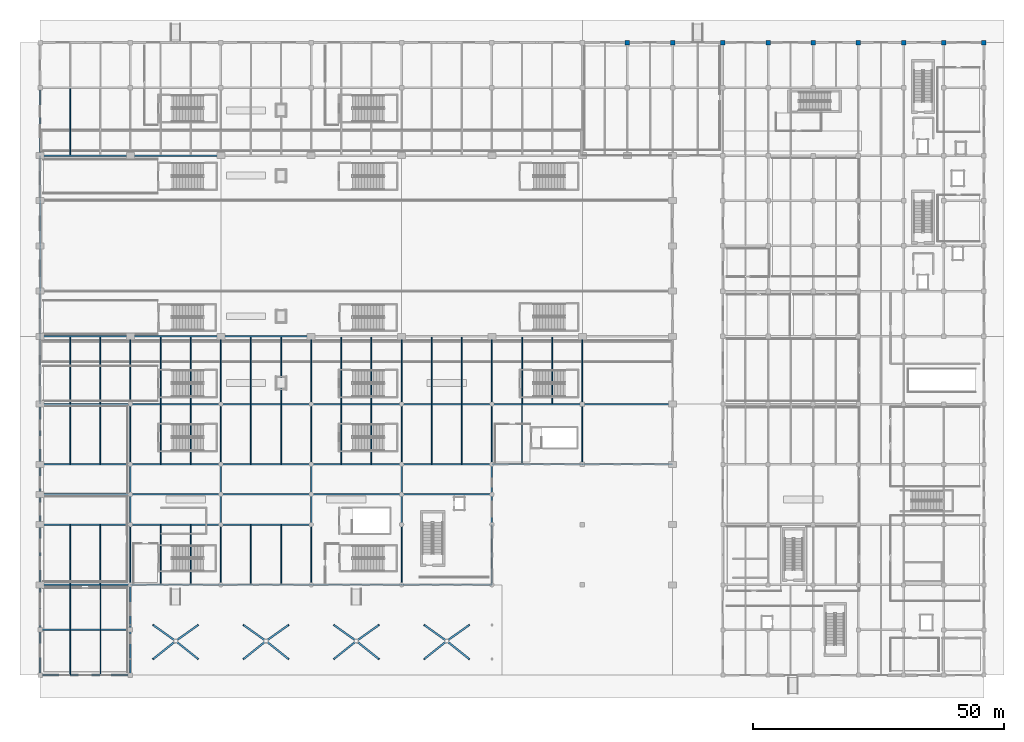
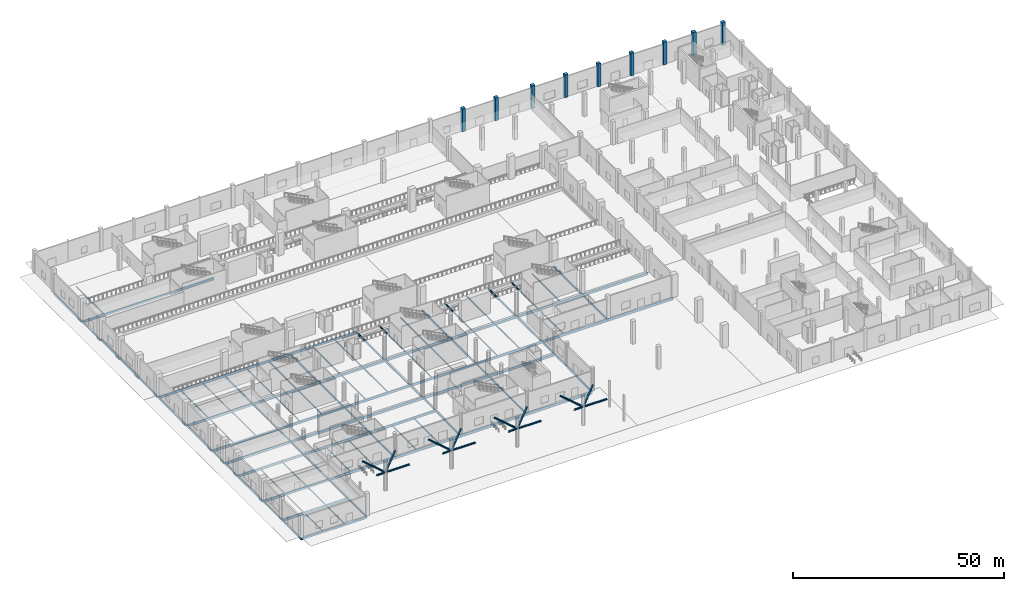
# One storey, part 8 of 65: 109 beams, 16 members, 9 columns.
"""IFC4 building model written with IfcOpenShell, lengths in metres."""

from ifc_helpers import new_model, si_unit, direction, frame, origin, origin_2d, place, context, subcontext, project, spatial, rectangle, i_section, extrude, material, material_profile, profile_set, type_object, element, save


model = new_model("IFC4")

# Units and contexts
model_context = context("Model", 3, precision=1e-05, world=origin(), true_north=direction((0.0, 1.0)))
body_context = subcontext(model_context, "Body", "Model", "MODEL_VIEW")
ifc_project = project(units=[si_unit("LENGTHUNIT", "METRE"), si_unit("AREAUNIT", "SQUARE_METRE"), si_unit("VOLUMEUNIT", "CUBIC_METRE"), si_unit("PLANEANGLEUNIT", "RADIAN"), si_unit("MASSUNIT", "GRAM", prefix="KILO")], contexts=[model_context])

# Site, building, storey
site_placement = place(None, origin())
site = spatial("IfcSite", under=ifc_project, at=site_placement, CompositionType="ELEMENT")
building_placement = place(site_placement, origin())
building = spatial("IfcBuilding", under=site, at=building_placement, Name="Chuanluo Vaults Station", CompositionType="ELEMENT")
storey_placement = place(building_placement, origin())
storey = spatial("IfcBuildingStorey", under=building, at=storey_placement, Name="L00", CompositionType="ELEMENT", Elevation=0.0)

# Columns
ifc_material_1 = material(Name="Concrete C50", Category="concrete")
ifc_material_profile_1 = material_profile(ifc_material_1, rectangle(XDim=0.89990234375, YDim=0.89990234375, at=origin_2d()))
ifc_profile_set_1 = profile_set([ifc_material_profile_1], Name="Concrete C50")
column_type = type_object("IfcColumnType", Name="COL-RC-900x900", PredefinedType="COLUMN", material=ifc_profile_set_1)
for number, where, z_axis, x_axis, name in (
    (1, (117.0, 126.0, 0.0), (0.0, 0.0, 1.0), (1.0, 0.0, 0.0), "Column L00-072"),
    (2, (126.0, 126.0, 0.0), (0.0, 0.0, 1.0), (1.0, 0.0, 0.0), "Column L00-083"),
    (3, (136.0, 126.0, 0.0), (0.0, 0.0, 1.0), (1.0, 0.0, 0.0), "Column L00-096"),
    (4, (145.0, 126.0, 0.0), (0.0, 0.0, 1.0), (1.0, 0.0, 0.0), "Column L00-109"),
    (5, (154.0, 126.0, 0.0), (0.0, 0.0, 1.0), (1.0, 0.0, 0.0), "Column L00-122"),
    (6, (163.0, 126.0, 0.0), (0.0, 0.0, 1.0), (1.0, 0.0, 0.0), "Column L00-135"),
    (7, (172.0, 126.0, 0.0), (0.0, 0.0, 1.0), (1.0, 0.0, 0.0), "Column L00-148"),
    (8, (180.0, 126.0, 0.0), (0.0, 0.0, 1.0), (1.0, 0.0, 0.0), "Column L00-161"),
    (9, (188.0, 126.0, 0.0), (0.0, 0.0, 1.0), (1.0, 0.0, 0.0), "Column L00-174"),
):
    element("IfcColumn", number, at=place(storey_placement, frame(where, z_axis=z_axis, x_axis=x_axis)), inside=storey, type_object=column_type, Name=name, PredefinedType="COLUMN", context=body_context, shape_type="SweptSolid", body=[
        extrude(rectangle(XDim=0.89990234375, YDim=0.89990234375, at=origin_2d()), origin(), (0.0, 0.0, 1.0), 6.60009765625),
    ])

# Beams
ifc_material_2 = material(Name="Steel Q355C", Category="steel")
ifc_material_profile_2 = material_profile(ifc_material_2, i_section(OverallWidth=0.300048828125, OverallDepth=0.389892578125, WebThickness=0.010009765625, FlangeThickness=0.01611328125, FilletRadius=0.02001953125, at=origin_2d()))
ifc_profile_set_2 = profile_set([ifc_material_profile_2], Name="Steel Q355C")
beam_type_1 = type_object("IfcBeamType", Name="BM-GRD-400", PredefinedType="BEAM", material=ifc_profile_set_2)
for number, where, z_axis, x_axis, name in (
    (10, (18.0, 0.0, -0.544921875), (0.0, 1.0, 0.0), (-1.0, 0.0, 0.0), "Floor girder BM:GY:L00:0149"),
    (11, (18.0, 9.0, -0.544921875), (0.0, 1.0, 0.0), (-1.0, 0.0, 0.0), "Floor girder BM:GY:L00:0150"),
):
    element("IfcBeam", number, at=place(storey_placement, frame(where, z_axis=z_axis, x_axis=x_axis)), inside=storey, type_object=beam_type_1, Name=name, PredefinedType="BEAM", context=body_context, shape_type="SweptSolid", body=[
        extrude(i_section(OverallWidth=0.300048828125, OverallDepth=0.389892578125, WebThickness=0.010009765625, FlangeThickness=0.01611328125, FilletRadius=0.02001953125, at=origin_2d()), origin(), (0.0, 0.0, 1.0), 9.0),
    ])
for number, where, z_axis, x_axis, name in (
    (12, (18.0, 30.0, -0.544921875), (0.0, 1.0, 0.0), (-1.0, 0.0, 0.0), "Floor girder BM:GY:L00:0152"),
    (13, (18.0, 36.0, -0.544921875), (0.0, 1.0, 0.0), (-1.0, 0.0, 0.0), "Floor girder BM:GY:L00:0153"),
    (14, (36.0, 30.0, -0.544921875), (0.0, 1.0, 0.0), (-1.0, 0.0, 0.0), "Floor girder BM:GY:L00:0159"),
    (15, (36.0, 36.0, -0.544921875), (0.0, 1.0, 0.0), (-1.0, 0.0, 0.0), "Floor girder BM:GY:L00:0160"),
    (16, (54.0, 30.0, -0.544921875), (0.0, 1.0, 0.0), (-1.0, 0.0, 0.0), "Floor girder BM:GY:L00:0166"),
    (17, (54.0, 36.0, -0.544921875), (0.0, 1.0, 0.0), (-1.0, 0.0, 0.0), "Floor girder BM:GY:L00:0167"),
    (18, (72.0, 30.0, -0.544921875), (0.0, 1.0, 0.0), (-1.0, 0.0, 0.0), "Floor girder BM:GY:L00:0173"),
    (19, (72.0, 36.0, -0.544921875), (0.0, 1.0, 0.0), (-1.0, 0.0, 0.0), "Floor girder BM:GY:L00:0174"),
    (20, (90.0, 30.0, -0.544921875), (0.0, 1.0, 0.0), (-1.0, 0.0, 0.0), "Floor girder BM:GY:L00:0180"),
    (21, (90.0, 36.0, -0.544921875), (0.0, 1.0, 0.0), (-1.0, 0.0, 0.0), "Floor girder BM:GY:L00:0181"),
):
    element("IfcBeam", number, at=place(storey_placement, frame(where, z_axis=z_axis, x_axis=x_axis)), inside=storey, type_object=beam_type_1, Name=name, PredefinedType="BEAM", context=body_context, shape_type="SweptSolid", body=[
        extrude(i_section(OverallWidth=0.300048828125, OverallDepth=0.389892578125, WebThickness=0.010009765625, FlangeThickness=0.01611328125, FilletRadius=0.02001953125, at=origin_2d()), origin(), (0.0, 0.0, 1.0), 6.0),
    ])
ifc_material_3 = material(Name="Steel Q355C", Category="steel")
ifc_material_profile_3 = material_profile(ifc_material_3, i_section(OverallWidth=0.199951171875, OverallDepth=0.550048828125, WebThickness=0.010009765625, FlangeThickness=0.01611328125, FilletRadius=0.01806640625, at=origin_2d()))
ifc_profile_set_3 = profile_set([ifc_material_profile_3], Name="Steel Q355C")
beam_type_2 = type_object("IfcBeamType", Name="BM-GRD-550", PredefinedType="USERDEFINED", material=ifc_profile_set_3)
for number, where, z_axis, x_axis, name in (
    (22, (18.0, 18.0, -0.625), (0.0, 1.0, 0.0), (-1.0, 0.0, 0.0), "Floor girder BM:GY:L00:0151"),
    (23, (18.0, 42.0, -0.625), (0.0, 1.0, 0.0), (-1.0, 0.0, 0.0), "Floor girder BM:GY:L00:0154"),
    (24, (36.0, 18.0, -0.625), (0.0, 1.0, 0.0), (-1.0, 0.0, 0.0), "Floor girder BM:GY:L00:0158"),
    (25, (36.0, 42.0, -0.625), (0.0, 1.0, 0.0), (-1.0, 0.0, 0.0), "Floor girder BM:GY:L00:0161"),
    (26, (54.0, 18.0, -0.625), (0.0, 1.0, 0.0), (-1.0, 0.0, 0.0), "Floor girder BM:GY:L00:0165"),
    (27, (54.0, 42.0, -0.625), (0.0, 1.0, 0.0), (-1.0, 0.0, 0.0), "Floor girder BM:GY:L00:0168"),
    (28, (72.0, 18.0, -0.625), (0.0, 1.0, 0.0), (-1.0, 0.0, 0.0), "Floor girder BM:GY:L00:0172"),
    (29, (72.0, 42.0, -0.625), (0.0, 1.0, 0.0), (-1.0, 0.0, 0.0), "Floor girder BM:GY:L00:0175"),
    (30, (90.0, 18.0, -0.625), (0.0, 1.0, 0.0), (-1.0, 0.0, 0.0), "Floor girder BM:GY:L00:0179"),
    (31, (90.0, 42.0, -0.625), (0.0, 1.0, 0.0), (-1.0, 0.0, 0.0), "Floor girder BM:GY:L00:0182"),
    (32, (108.0, 42.0, -0.625), (0.0, 1.0, 0.0), (-1.0, 0.0, 0.0), "Floor girder BM:GY:L00:0186"),
):
    element("IfcBeam", number, at=place(storey_placement, frame(where, z_axis=z_axis, x_axis=x_axis)), inside=storey, type_object=beam_type_2, Name=name, ObjectType="GIRDER", PredefinedType="USERDEFINED", context=body_context, shape_type="SweptSolid", body=[
        extrude(i_section(OverallWidth=0.199951171875, OverallDepth=0.550048828125, WebThickness=0.010009765625, FlangeThickness=0.01611328125, FilletRadius=0.01806640625, at=origin_2d()), origin(), (0.0, 0.0, 1.0), 12.0),
    ])
ifc_material_4 = material(Name="Steel Q355C", Category="steel")
ifc_material_profile_4 = material_profile(ifc_material_4, i_section(OverallWidth=0.199951171875, OverallDepth=0.60009765625, WebThickness=0.010986328125, FlangeThickness=0.01708984375, FilletRadius=0.01806640625, at=origin_2d()))
ifc_profile_set_4 = profile_set([ifc_material_profile_4], Name="Steel Q355C")
beam_type_3 = type_object("IfcBeamType", Name="BM-GRD-600", PredefinedType="USERDEFINED", material=ifc_profile_set_4)
for number, where, z_axis, x_axis, name in (
    (33, (18.0, 54.0, -0.679931640625), (0.0, 1.0, 0.0), (-1.0, 0.0, 0.0), "Floor girder BM:GY:L00:0155"),
    (34, (36.0, 54.0, -0.679931640625), (0.0, 1.0, 0.0), (-1.0, 0.0, 0.0), "Floor girder BM:GY:L00:0162"),
    (35, (54.0, 54.0, -0.679931640625), (0.0, 1.0, 0.0), (-1.0, 0.0, 0.0), "Floor girder BM:GY:L00:0169"),
    (36, (72.0, 54.0, -0.679931640625), (0.0, 1.0, 0.0), (-1.0, 0.0, 0.0), "Floor girder BM:GY:L00:0176"),
    (37, (90.0, 54.0, -0.679931640625), (0.0, 1.0, 0.0), (-1.0, 0.0, 0.0), "Floor girder BM:GY:L00:0183"),
    (38, (108.0, 54.0, -0.679931640625), (0.0, 1.0, 0.0), (-1.0, 0.0, 0.0), "Floor girder BM:GY:L00:0187"),
):
    element("IfcBeam", number, at=place(storey_placement, frame(where, z_axis=z_axis, x_axis=x_axis)), inside=storey, type_object=beam_type_3, Name=name, ObjectType="GIRDER", PredefinedType="USERDEFINED", context=body_context, shape_type="SweptSolid", body=[
        extrude(i_section(OverallWidth=0.199951171875, OverallDepth=0.60009765625, WebThickness=0.010986328125, FlangeThickness=0.01708984375, FilletRadius=0.01806640625, at=origin_2d()), origin(), (0.0, 0.0, 1.0), 13.5),
    ])
ifc_material_5 = material(Name="Steel Q355C", Category="steel")
ifc_material_profile_5 = material_profile(ifc_material_5, i_section(OverallWidth=0.300048828125, OverallDepth=0.699951171875, WebThickness=0.012939453125, FlangeThickness=0.02392578125, FilletRadius=0.02197265625, at=origin_2d()))
ifc_profile_set_5 = profile_set([ifc_material_profile_5], Name="Steel Q355C")
beam_type_4 = type_object("IfcBeamType", Name="BM-GRD-700", PredefinedType="USERDEFINED", material=ifc_profile_set_5)
for number, where, z_axis, x_axis, name in (
    (39, (0.0, 76.5, -0.35009765625), (0.0, 1.0, 0.0), (-1.0, 0.0, 0.0), "Train-shed throat grade girder 082"),
    (40, (0.0, 85.5, -0.35009765625), (0.0, 1.0, 0.0), (-1.0, 0.0, 0.0), "Train-shed throat grade girder 083"),
):
    element("IfcBeam", number, at=place(storey_placement, frame(where, z_axis=z_axis, x_axis=x_axis)), inside=storey, type_object=beam_type_4, Name=name, ObjectType="GIRDER", PredefinedType="USERDEFINED", context=body_context, shape_type="SweptSolid", body=[
        extrude(i_section(OverallWidth=0.300048828125, OverallDepth=0.699951171875, WebThickness=0.012939453125, FlangeThickness=0.02392578125, FilletRadius=0.02197265625, at=origin_2d()), origin(), (0.0, 0.0, 1.0), 9.0),
    ])
for number, where, z_axis, x_axis, name in (
    (41, (0.0, 9.0, -0.699951171875), (1.0, 0.0, 0.0), (0.0, 1.0, 0.0), "Floor girder BM:GX:L00:0008"),
    (42, (0.0, 18.0, -0.699951171875), (1.0, 0.0, 0.0), (0.0, 1.0, 0.0), "Floor girder BM:GX:L00:0013"),
    (43, (18.0, 18.0, -0.699951171875), (1.0, 0.0, 0.0), (0.0, 1.0, 0.0), "Floor girder BM:GX:L00:0014"),
    (44, (36.0, 18.0, -0.699951171875), (1.0, 0.0, 0.0), (0.0, 1.0, 0.0), "Floor girder BM:GX:L00:0015"),
    (45, (54.0, 18.0, -0.699951171875), (1.0, 0.0, 0.0), (0.0, 1.0, 0.0), "Floor girder BM:GX:L00:0016"),
    (46, (72.0, 18.0, -0.699951171875), (1.0, 0.0, 0.0), (0.0, 1.0, 0.0), "Floor girder BM:GX:L00:0017"),
    (47, (0.0, 30.0, -0.699951171875), (1.0, 0.0, 0.0), (0.0, 1.0, 0.0), "Floor girder BM:GX:L00:0024"),
    (48, (18.0, 30.0, -0.699951171875), (1.0, 0.0, 0.0), (0.0, 1.0, 0.0), "Floor girder BM:GX:L00:0025"),
    (49, (36.0, 30.0, -0.699951171875), (1.0, 0.0, 0.0), (0.0, 1.0, 0.0), "Floor girder BM:GX:L00:0026"),
    (50, (0.0, 36.0, -0.699951171875), (1.0, 0.0, 0.0), (0.0, 1.0, 0.0), "Floor girder BM:GX:L00:0033"),
    (51, (18.0, 36.0, -0.699951171875), (1.0, 0.0, 0.0), (0.0, 1.0, 0.0), "Floor girder BM:GX:L00:0034"),
    (52, (36.0, 36.0, -0.699951171875), (1.0, 0.0, 0.0), (0.0, 1.0, 0.0), "Floor girder BM:GX:L00:0035"),
    (53, (54.0, 36.0, -0.699951171875), (1.0, 0.0, 0.0), (0.0, 1.0, 0.0), "Floor girder BM:GX:L00:0036"),
    (54, (72.0, 36.0, -0.699951171875), (1.0, 0.0, 0.0), (0.0, 1.0, 0.0), "Floor girder BM:GX:L00:0037"),
    (55, (0.0, 42.0, -0.699951171875), (1.0, 0.0, 0.0), (0.0, 1.0, 0.0), "Floor girder BM:GX:L00:0038"),
    (56, (18.0, 42.0, -0.699951171875), (1.0, 0.0, 0.0), (0.0, 1.0, 0.0), "Floor girder BM:GX:L00:0039"),
    (57, (36.0, 42.0, -0.699951171875), (1.0, 0.0, 0.0), (0.0, 1.0, 0.0), "Floor girder BM:GX:L00:0040"),
    (58, (54.0, 42.0, -0.699951171875), (1.0, 0.0, 0.0), (0.0, 1.0, 0.0), "Floor girder BM:GX:L00:0041"),
    (59, (72.0, 42.0, -0.699951171875), (1.0, 0.0, 0.0), (0.0, 1.0, 0.0), "Floor girder BM:GX:L00:0042"),
    (60, (90.0, 42.0, -0.699951171875), (1.0, 0.0, 0.0), (0.0, 1.0, 0.0), "Floor girder BM:GX:L00:0043"),
    (61, (108.0, 42.0, -0.699951171875), (1.0, 0.0, 0.0), (0.0, 1.0, 0.0), "Floor girder BM:GX:L00:0044"),
    (62, (0.0, 54.0, -0.72998046875), (1.0, 0.0, 0.0), (0.0, 1.0, 0.0), "Floor girder BM:GX:L00:0051"),
    (63, (18.0, 54.0, -0.72998046875), (1.0, 0.0, 0.0), (0.0, 1.0, 0.0), "Floor girder BM:GX:L00:0052"),
    (64, (36.0, 54.0, -0.72998046875), (1.0, 0.0, 0.0), (0.0, 1.0, 0.0), "Floor girder BM:GX:L00:0053"),
    (65, (54.0, 54.0, -0.72998046875), (1.0, 0.0, 0.0), (0.0, 1.0, 0.0), "Floor girder BM:GX:L00:0054"),
    (66, (72.0, 54.0, -0.72998046875), (1.0, 0.0, 0.0), (0.0, 1.0, 0.0), "Floor girder BM:GX:L00:0055"),
    (67, (90.0, 54.0, -0.72998046875), (1.0, 0.0, 0.0), (0.0, 1.0, 0.0), "Floor girder BM:GX:L00:0056"),
    (68, (108.0, 54.0, -0.72998046875), (1.0, 0.0, 0.0), (0.0, 1.0, 0.0), "Floor girder BM:GX:L00:0057"),
    (69, (0.0, 67.5, -0.72998046875), (1.0, 0.0, 0.0), (0.0, 1.0, 0.0), "Floor girder BM:GX:L00:0064"),
    (70, (18.0, 67.5, -0.72998046875), (1.0, 0.0, 0.0), (0.0, 1.0, 0.0), "Floor girder BM:GX:L00:0065"),
    (71, (36.0, 67.5, -0.72998046875), (1.0, 0.0, 0.0), (0.0, 1.0, 0.0), "Floor girder BM:GX:L00:0066"),
    (72, (0.0, 103.5, -0.72998046875), (1.0, 0.0, 0.0), (0.0, 1.0, 0.0), "Floor girder BM:GX:L00:0094"),
    (73, (18.0, 103.5, -0.72998046875), (1.0, 0.0, 0.0), (0.0, 1.0, 0.0), "Floor girder BM:GX:L00:0095"),
):
    element("IfcBeam", number, at=place(storey_placement, frame(where, z_axis=z_axis, x_axis=x_axis)), inside=storey, type_object=beam_type_4, Name=name, ObjectType="GIRDER", PredefinedType="USERDEFINED", context=body_context, shape_type="SweptSolid", body=[
        extrude(i_section(OverallWidth=0.300048828125, OverallDepth=0.699951171875, WebThickness=0.012939453125, FlangeThickness=0.02392578125, FilletRadius=0.02197265625, at=origin_2d()), origin(), (0.0, 0.0, 1.0), 18.0),
    ])
ifc_material_6 = material(Name="Steel Q355C", Category="steel")
ifc_material_profile_6 = material_profile(ifc_material_6, i_section(OverallWidth=0.125, OverallDepth=0.25, WebThickness=0.006103515625, FlangeThickness=0.009033203125, FilletRadius=0.011962890625, at=origin_2d()))
ifc_profile_set_6 = profile_set([ifc_material_profile_6], Name="Steel Q355C")
beam_type_5 = type_object("IfcBeamType", Name="BM-SEC-250", PredefinedType="JOIST", material=ifc_profile_set_6)
for number, where, z_axis, x_axis, name in (
    (74, (6.0, 0.110107421875, -0.47509765625), (0.0, 1.0, 0.0), (-1.0, 0.0, 0.0), "Composite secondary joist 0001"),
    (75, (12.0, 0.110107421875, -0.47509765625), (0.0, 1.0, 0.0), (-1.0, 0.0, 0.0), "Composite secondary joist 0002"),
):
    element("IfcBeam", number, at=place(storey_placement, frame(where, z_axis=z_axis, x_axis=x_axis)), inside=storey, type_object=beam_type_5, Name=name, PredefinedType="JOIST", context=body_context, shape_type="SweptSolid", body=[
        extrude(i_section(OverallWidth=0.125, OverallDepth=0.25, WebThickness=0.006103515625, FlangeThickness=0.009033203125, FilletRadius=0.011962890625, at=origin_2d()), origin(), (0.0, 0.0, 1.0), 8.73486328125),
    ])
for number, where, z_axis, x_axis, name in (
    (76, (6.0, 9.155029296875, -0.47509765625), (0.0, 1.0, 0.0), (-1.0, 0.0, 0.0), "Composite secondary joist 0003"),
    (77, (12.0, 9.155029296875, -0.47509765625), (0.0, 1.0, 0.0), (-1.0, 0.0, 0.0), "Composite secondary joist 0004"),
):
    element("IfcBeam", number, at=place(storey_placement, frame(where, z_axis=z_axis, x_axis=x_axis)), inside=storey, type_object=beam_type_5, Name=name, PredefinedType="JOIST", context=body_context, shape_type="SweptSolid", body=[
        extrude(i_section(OverallWidth=0.125, OverallDepth=0.25, WebThickness=0.006103515625, FlangeThickness=0.009033203125, FilletRadius=0.011962890625, at=origin_2d()), origin(), (0.0, 0.0, 1.0), 8.68994140625),
    ])
ifc_material_7 = material(Name="Steel Q355C", Category="steel")
ifc_material_profile_7 = material_profile(ifc_material_7, i_section(OverallWidth=0.175048828125, OverallDepth=0.35009765625, WebThickness=0.007080078125, FlangeThickness=0.010986328125, FilletRadius=0.013916015625, at=origin_2d()))
ifc_profile_set_7 = profile_set([ifc_material_profile_7], Name="Steel Q355C")
beam_type_6 = type_object("IfcBeamType", Name="BM-SEC-350", PredefinedType="JOIST", material=ifc_profile_set_7)
for number, where, z_axis, x_axis, name in (
    (78, (6.0, 18.155029296875, -0.52490234375), (0.0, 1.0, 0.0), (-1.0, 0.0, 0.0), "Composite secondary joist 0005"),
    (79, (12.0, 18.155029296875, -0.52490234375), (0.0, 1.0, 0.0), (-1.0, 0.0, 0.0), "Composite secondary joist 0006"),
    (80, (6.0, 42.155029296875, -0.52490234375), (0.0, 1.0, 0.0), (-1.0, 0.0, 0.0), "Composite secondary joist 0007"),
    (81, (12.0, 42.155029296875, -0.52490234375), (0.0, 1.0, 0.0), (-1.0, 0.0, 0.0), "Composite secondary joist 0008"),
    (82, (24.0, 18.155029296875, -0.52490234375), (0.0, 1.0, 0.0), (-1.0, 0.0, 0.0), "Composite secondary joist 0015"),
    (83, (30.0, 18.155029296875, -0.52490234375), (0.0, 1.0, 0.0), (-1.0, 0.0, 0.0), "Composite secondary joist 0016"),
    (84, (24.0, 42.155029296875, -0.52490234375), (0.0, 1.0, 0.0), (-1.0, 0.0, 0.0), "Composite secondary joist 0017"),
    (85, (30.0, 42.155029296875, -0.52490234375), (0.0, 1.0, 0.0), (-1.0, 0.0, 0.0), "Composite secondary joist 0018"),
    (86, (42.0, 18.155029296875, -0.52490234375), (0.0, 1.0, 0.0), (-1.0, 0.0, 0.0), "Composite secondary joist 0025"),
    (87, (48.0, 18.155029296875, -0.52490234375), (0.0, 1.0, 0.0), (-1.0, 0.0, 0.0), "Composite secondary joist 0026"),
    (88, (42.0, 42.155029296875, -0.52490234375), (0.0, 1.0, 0.0), (-1.0, 0.0, 0.0), "Composite secondary joist 0027"),
    (89, (48.0, 42.155029296875, -0.52490234375), (0.0, 1.0, 0.0), (-1.0, 0.0, 0.0), "Composite secondary joist 0028"),
    (90, (60.0, 42.155029296875, -0.52490234375), (0.0, 1.0, 0.0), (-1.0, 0.0, 0.0), "Composite secondary joist 0035"),
    (91, (66.0, 42.155029296875, -0.52490234375), (0.0, 1.0, 0.0), (-1.0, 0.0, 0.0), "Composite secondary joist 0036"),
    (92, (78.0, 42.155029296875, -0.52490234375), (0.0, 1.0, 0.0), (-1.0, 0.0, 0.0), "Composite secondary joist 0043"),
    (93, (84.0, 42.155029296875, -0.52490234375), (0.0, 1.0, 0.0), (-1.0, 0.0, 0.0), "Composite secondary joist 0044"),
    (94, (96.0, 42.155029296875, -0.52490234375), (0.0, 1.0, 0.0), (-1.0, 0.0, 0.0), "Composite secondary joist 0051"),
):
    element("IfcBeam", number, at=place(storey_placement, frame(where, z_axis=z_axis, x_axis=x_axis)), inside=storey, type_object=beam_type_6, Name=name, PredefinedType="JOIST", context=body_context, shape_type="SweptSolid", body=[
        extrude(i_section(OverallWidth=0.175048828125, OverallDepth=0.35009765625, WebThickness=0.007080078125, FlangeThickness=0.010986328125, FilletRadius=0.013916015625, at=origin_2d()), origin(), (0.0, 0.0, 1.0), 11.68994140625),
    ])
ifc_material_8 = material(Name="Steel Q355C", Category="steel")
ifc_material_profile_8 = material_profile(ifc_material_8, i_section(OverallWidth=0.199951171875, OverallDepth=0.39990234375, WebThickness=0.008056640625, FlangeThickness=0.012939453125, FilletRadius=0.01611328125, at=origin_2d()))
ifc_profile_set_8 = profile_set([ifc_material_profile_8], Name="Steel Q355C")
beam_type_7 = type_object("IfcBeamType", Name="BM-SEC-400", PredefinedType="BEAM", material=ifc_profile_set_8)
for number, where, z_axis, x_axis, name in (
    (95, (6.0, 54.155029296875, -0.580078125), (0.0, 1.0, 0.0), (-1.0, 0.0, 0.0), "Composite secondary joist 0009"),
    (96, (12.0, 54.155029296875, -0.580078125), (0.0, 1.0, 0.0), (-1.0, 0.0, 0.0), "Composite secondary joist 0010"),
    (97, (6.0, 103.655029296875, -0.580078125), (0.0, 1.0, 0.0), (-1.0, 0.0, 0.0), "Composite secondary joist 0011"),
    (98, (24.0, 54.155029296875, -0.580078125), (0.0, 1.0, 0.0), (-1.0, 0.0, 0.0), "Composite secondary joist 0019"),
    (99, (30.0, 54.155029296875, -0.580078125), (0.0, 1.0, 0.0), (-1.0, 0.0, 0.0), "Composite secondary joist 0020"),
    (100, (42.0, 54.155029296875, -0.580078125), (0.0, 1.0, 0.0), (-1.0, 0.0, 0.0), "Composite secondary joist 0029"),
    (101, (48.0, 54.155029296875, -0.580078125), (0.0, 1.0, 0.0), (-1.0, 0.0, 0.0), "Composite secondary joist 0030"),
    (102, (60.0, 54.155029296875, -0.580078125), (0.0, 1.0, 0.0), (-1.0, 0.0, 0.0), "Composite secondary joist 0037"),
    (103, (66.0, 54.155029296875, -0.580078125), (0.0, 1.0, 0.0), (-1.0, 0.0, 0.0), "Composite secondary joist 0038"),
    (104, (78.0, 54.155029296875, -0.580078125), (0.0, 1.0, 0.0), (-1.0, 0.0, 0.0), "Composite secondary joist 0045"),
    (105, (84.0, 54.155029296875, -0.580078125), (0.0, 1.0, 0.0), (-1.0, 0.0, 0.0), "Composite secondary joist 0046"),
    (106, (96.0, 54.155029296875, -0.580078125), (0.0, 1.0, 0.0), (-1.0, 0.0, 0.0), "Composite secondary joist 0052"),
    (107, (102.0, 54.155029296875, -0.580078125), (0.0, 1.0, 0.0), (-1.0, 0.0, 0.0), "Composite secondary joist 0053"),
):
    element("IfcBeam", number, at=place(storey_placement, frame(where, z_axis=z_axis, x_axis=x_axis)), inside=storey, type_object=beam_type_7, Name=name, PredefinedType="BEAM", context=body_context, shape_type="SweptSolid", body=[
        extrude(i_section(OverallWidth=0.199951171875, OverallDepth=0.39990234375, WebThickness=0.008056640625, FlangeThickness=0.012939453125, FilletRadius=0.01611328125, at=origin_2d()), origin(), (0.0, 0.0, 1.0), 13.18994140625),
    ])
ifc_material_9 = material(Name="Steel Q355C", Category="steel")
ifc_material_profile_9 = material_profile(ifc_material_9, i_section(OverallWidth=0.205078125, OverallDepth=0.4599609375, WebThickness=0.009033203125, FlangeThickness=0.013916015625, FilletRadius=0.01611328125, at=origin_2d()))
ifc_profile_set_9 = profile_set([ifc_material_profile_9], Name="Steel Q355C")
beam_type_8 = type_object("IfcBeamType", Name="BM-SPN-450", PredefinedType="SPANDREL", material=ifc_profile_set_9)
for number, where, z_axis, x_axis, name in (
    (108, (0.0, 0.0, -0.580078125), (0.0, 1.0, 0.0), (-1.0, 0.0, 0.0), "Floor girder BM:GY:L00:0138"),
    (109, (0.0, 9.0, -0.580078125), (0.0, 1.0, 0.0), (-1.0, 0.0, 0.0), "Floor girder BM:GY:L00:0139"),
):
    element("IfcBeam", number, at=place(storey_placement, frame(where, z_axis=z_axis, x_axis=x_axis)), inside=storey, type_object=beam_type_8, Name=name, PredefinedType="SPANDREL", context=body_context, shape_type="SweptSolid", body=[
        extrude(i_section(OverallWidth=0.205078125, OverallDepth=0.4599609375, WebThickness=0.009033203125, FlangeThickness=0.013916015625, FilletRadius=0.01611328125, at=origin_2d()), origin(), (0.0, 0.0, 1.0), 9.0),
    ])
for number, where, z_axis, x_axis, name in (
    (110, (0.0, 30.0, -0.580078125), (0.0, 1.0, 0.0), (-1.0, 0.0, 0.0), "Floor girder BM:GY:L00:0141"),
    (111, (0.0, 36.0, -0.580078125), (0.0, 1.0, 0.0), (-1.0, 0.0, 0.0), "Floor girder BM:GY:L00:0142"),
):
    element("IfcBeam", number, at=place(storey_placement, frame(where, z_axis=z_axis, x_axis=x_axis)), inside=storey, type_object=beam_type_8, Name=name, PredefinedType="SPANDREL", context=body_context, shape_type="SweptSolid", body=[
        extrude(i_section(OverallWidth=0.205078125, OverallDepth=0.4599609375, WebThickness=0.009033203125, FlangeThickness=0.013916015625, FilletRadius=0.01611328125, at=origin_2d()), origin(), (0.0, 0.0, 1.0), 6.0),
    ])
for number, where, z_axis, x_axis, name in (
    (112, (0.0, 67.5, -0.610107421875), (0.0, 1.0, 0.0), (-1.0, 0.0, 0.0), "Floor girder BM:GY:L00:0145"),
    (113, (0.0, 94.5, -0.610107421875), (0.0, 1.0, 0.0), (-1.0, 0.0, 0.0), "Floor girder BM:GY:L00:0146"),
):
    element("IfcBeam", number, at=place(storey_placement, frame(where, z_axis=z_axis, x_axis=x_axis)), inside=storey, type_object=beam_type_8, Name=name, PredefinedType="SPANDREL", context=body_context, shape_type="SweptSolid", body=[
        extrude(i_section(OverallWidth=0.205078125, OverallDepth=0.4599609375, WebThickness=0.009033203125, FlangeThickness=0.013916015625, FilletRadius=0.01611328125, at=origin_2d()), origin(), (0.0, 0.0, 1.0), 9.0),
    ])
ifc_material_10 = material(Name="Steel Q355C", Category="steel")
ifc_material_profile_10 = material_profile(ifc_material_10, i_section(OverallWidth=0.2099609375, OverallDepth=0.580078125, WebThickness=0.010986328125, FlangeThickness=0.01708984375, FilletRadius=0.01806640625, at=origin_2d()))
ifc_profile_set_10 = profile_set([ifc_material_profile_10], Name="Steel Q355C")
beam_type_9 = type_object("IfcBeamType", Name="BM-SPN-600", PredefinedType="SPANDREL", material=ifc_profile_set_10)
beam_placement = place(storey_placement, frame((0.0, 0.0, -0.639892578125), z_axis=(1.0, 0.0, 0.0), x_axis=(0.0, 1.0, 0.0)))
element("IfcBeam", 114, at=beam_placement, inside=storey, type_object=beam_type_9, Name="Floor girder BM:GX:L00:0001", PredefinedType="SPANDREL", context=body_context, shape_type="SweptSolid", body=[
    extrude(i_section(OverallWidth=0.2099609375, OverallDepth=0.580078125, WebThickness=0.010986328125, FlangeThickness=0.01708984375, FilletRadius=0.01806640625, at=origin_2d()), origin(), (0.0, 0.0, 1.0), 18.0),
])
for number, where, z_axis, x_axis, name in (
    (115, (0.0, 18.0, -0.639892578125), (0.0, 1.0, 0.0), (-1.0, 0.0, 0.0), "Floor girder BM:GY:L00:0140"),
    (116, (0.0, 42.0, -0.639892578125), (0.0, 1.0, 0.0), (-1.0, 0.0, 0.0), "Floor girder BM:GY:L00:0143"),
):
    element("IfcBeam", number, at=place(storey_placement, frame(where, z_axis=z_axis, x_axis=x_axis)), inside=storey, type_object=beam_type_9, Name=name, PredefinedType="SPANDREL", context=body_context, shape_type="SweptSolid", body=[
        extrude(i_section(OverallWidth=0.2099609375, OverallDepth=0.580078125, WebThickness=0.010986328125, FlangeThickness=0.01708984375, FilletRadius=0.01806640625, at=origin_2d()), origin(), (0.0, 0.0, 1.0), 12.0),
    ])
for number, where, z_axis, x_axis, name in (
    (117, (0.0, 54.0, -0.669921875), (0.0, 1.0, 0.0), (-1.0, 0.0, 0.0), "Floor girder BM:GY:L00:0144"),
    (118, (0.0, 103.5, -0.669921875), (0.0, 1.0, 0.0), (-1.0, 0.0, 0.0), "Floor girder BM:GY:L00:0147"),
):
    element("IfcBeam", number, at=place(storey_placement, frame(where, z_axis=z_axis, x_axis=x_axis)), inside=storey, type_object=beam_type_9, Name=name, PredefinedType="SPANDREL", context=body_context, shape_type="SweptSolid", body=[
        extrude(i_section(OverallWidth=0.2099609375, OverallDepth=0.580078125, WebThickness=0.010986328125, FlangeThickness=0.01708984375, FilletRadius=0.01806640625, at=origin_2d()), origin(), (0.0, 0.0, 1.0), 13.5),
    ])

# Members
ifc_material_11 = material(Name="Steel Q355C", Category="steel")
ifc_material_profile_11 = material_profile(ifc_material_11, i_section(OverallWidth=0.35009765625, OverallDepth=0.360107421875, WebThickness=0.011962890625, FlangeThickness=0.01904296875, FilletRadius=0.02001953125, at=origin_2d()))
ifc_profile_set_11 = profile_set([ifc_material_profile_11], Name="Steel Q355C")
member_type = type_object("IfcMemberType", Name="MEM-CAN-Y1", PredefinedType="STRUT", material=ifc_profile_set_11)
for number, where, z_axis, x_axis, name in (
    (119, (27.0, 6.800048828125, 5.10009765625), (-0.698498208423, -0.55881372512, 0.447020663333), (0.624705380279, -0.780860543151, 0.0), "Canopy prismatic Y-branch 1.1"),
    (120, (27.0, 6.800048828125, 5.10009765625), (0.698498208423, -0.55881372512, 0.447020663333), (0.624705380279, 0.780860543151, 0.0), "Canopy prismatic Y-branch 1.2"),
):
    element("IfcMember", number, at=place(storey_placement, frame(where, z_axis=z_axis, x_axis=x_axis)), inside=storey, type_object=member_type, Name=name, PredefinedType="STRUT", context=body_context, shape_type="SweptSolid", body=[
        extrude(i_section(OverallWidth=0.35009765625, OverallDepth=0.360107421875, WebThickness=0.011962890625, FlangeThickness=0.01904296875, FilletRadius=0.02001953125, at=origin_2d()), origin(), (0.0, 0.0, 1.0), 6.4423828125),
    ])
for number, where, z_axis, x_axis, name in (
    (121, (27.0, 6.800048828125, 5.10009765625), (-0.724194139717, 0.514974641345, 0.458632714459), (-0.579517913329, -0.814959500914, 0.0), "Canopy prismatic Y-branch 1.3"),
    (122, (27.0, 6.800048828125, 5.10009765625), (0.724194139717, 0.514974641345, 0.458632714459), (-0.579517913329, 0.814959500914, 0.0), "Canopy prismatic Y-branch 1.4"),
):
    element("IfcMember", number, at=place(storey_placement, frame(where, z_axis=z_axis, x_axis=x_axis)), inside=storey, type_object=member_type, Name=name, PredefinedType="STRUT", context=body_context, shape_type="SweptSolid", body=[
        extrude(i_section(OverallWidth=0.35009765625, OverallDepth=0.360107421875, WebThickness=0.011962890625, FlangeThickness=0.01904296875, FilletRadius=0.02001953125, at=origin_2d()), origin(), (0.0, 0.0, 1.0), 6.2138671875),
    ])
for number, where, z_axis, x_axis, name in (
    (123, (45.0, 6.800048828125, 5.10009765625), (-0.698498208423, -0.55881372512, 0.447020663333), (0.624705380279, -0.780860543151, 0.0), "Canopy prismatic Y-branch 2.1"),
    (124, (45.0, 6.800048828125, 5.10009765625), (0.698498208423, -0.55881372512, 0.447020663333), (0.624705380279, 0.780860543151, 0.0), "Canopy prismatic Y-branch 2.2"),
):
    element("IfcMember", number, at=place(storey_placement, frame(where, z_axis=z_axis, x_axis=x_axis)), inside=storey, type_object=member_type, Name=name, PredefinedType="STRUT", context=body_context, shape_type="SweptSolid", body=[
        extrude(i_section(OverallWidth=0.35009765625, OverallDepth=0.360107421875, WebThickness=0.011962890625, FlangeThickness=0.01904296875, FilletRadius=0.02001953125, at=origin_2d()), origin(), (0.0, 0.0, 1.0), 6.4423828125),
    ])
for number, where, z_axis, x_axis, name in (
    (125, (45.0, 6.800048828125, 5.10009765625), (-0.724194139717, 0.514974641345, 0.458632714459), (-0.579517913329, -0.814959500914, 0.0), "Canopy prismatic Y-branch 2.3"),
    (126, (45.0, 6.800048828125, 5.10009765625), (0.724194139717, 0.514974641345, 0.458632714459), (-0.579517913329, 0.814959500914, 0.0), "Canopy prismatic Y-branch 2.4"),
):
    element("IfcMember", number, at=place(storey_placement, frame(where, z_axis=z_axis, x_axis=x_axis)), inside=storey, type_object=member_type, Name=name, PredefinedType="STRUT", context=body_context, shape_type="SweptSolid", body=[
        extrude(i_section(OverallWidth=0.35009765625, OverallDepth=0.360107421875, WebThickness=0.011962890625, FlangeThickness=0.01904296875, FilletRadius=0.02001953125, at=origin_2d()), origin(), (0.0, 0.0, 1.0), 6.2138671875),
    ])
for number, where, z_axis, x_axis, name in (
    (127, (63.0, 6.800048828125, 5.10009765625), (-0.698498208423, -0.55881372512, 0.447020663333), (0.624705380279, -0.780860543151, 0.0), "Canopy prismatic Y-branch 3.1"),
    (128, (63.0, 6.800048828125, 5.10009765625), (0.698498208423, -0.55881372512, 0.447020663333), (0.624705380279, 0.780860543151, 0.0), "Canopy prismatic Y-branch 3.2"),
):
    element("IfcMember", number, at=place(storey_placement, frame(where, z_axis=z_axis, x_axis=x_axis)), inside=storey, type_object=member_type, Name=name, PredefinedType="STRUT", context=body_context, shape_type="SweptSolid", body=[
        extrude(i_section(OverallWidth=0.35009765625, OverallDepth=0.360107421875, WebThickness=0.011962890625, FlangeThickness=0.01904296875, FilletRadius=0.02001953125, at=origin_2d()), origin(), (0.0, 0.0, 1.0), 6.4423828125),
    ])
for number, where, z_axis, x_axis, name in (
    (129, (63.0, 6.800048828125, 5.10009765625), (-0.724194139717, 0.514974641345, 0.458632714459), (-0.579517913329, -0.814959500914, 0.0), "Canopy prismatic Y-branch 3.3"),
    (130, (63.0, 6.800048828125, 5.10009765625), (0.724194139717, 0.514974641345, 0.458632714459), (-0.579517913329, 0.814959500914, 0.0), "Canopy prismatic Y-branch 3.4"),
):
    element("IfcMember", number, at=place(storey_placement, frame(where, z_axis=z_axis, x_axis=x_axis)), inside=storey, type_object=member_type, Name=name, PredefinedType="STRUT", context=body_context, shape_type="SweptSolid", body=[
        extrude(i_section(OverallWidth=0.35009765625, OverallDepth=0.360107421875, WebThickness=0.011962890625, FlangeThickness=0.01904296875, FilletRadius=0.02001953125, at=origin_2d()), origin(), (0.0, 0.0, 1.0), 6.2138671875),
    ])
for number, where, z_axis, x_axis, name in (
    (131, (81.0, 6.800048828125, 5.10009765625), (-0.698498208423, -0.55881372512, 0.447020663333), (0.624705380279, -0.780860543151, 0.0), "Canopy prismatic Y-branch 4.1"),
    (132, (81.0, 6.800048828125, 5.10009765625), (0.698498208423, -0.55881372512, 0.447020663333), (0.624705380279, 0.780860543151, 0.0), "Canopy prismatic Y-branch 4.2"),
):
    element("IfcMember", number, at=place(storey_placement, frame(where, z_axis=z_axis, x_axis=x_axis)), inside=storey, type_object=member_type, Name=name, PredefinedType="STRUT", context=body_context, shape_type="SweptSolid", body=[
        extrude(i_section(OverallWidth=0.35009765625, OverallDepth=0.360107421875, WebThickness=0.011962890625, FlangeThickness=0.01904296875, FilletRadius=0.02001953125, at=origin_2d()), origin(), (0.0, 0.0, 1.0), 6.4423828125),
    ])
for number, where, z_axis, x_axis, name in (
    (133, (81.0, 6.800048828125, 5.10009765625), (-0.724194139717, 0.514974641345, 0.458632714459), (-0.579517913329, -0.814959500914, 0.0), "Canopy prismatic Y-branch 4.3"),
    (134, (81.0, 6.800048828125, 5.10009765625), (0.724194139717, 0.514974641345, 0.458632714459), (-0.579517913329, 0.814959500914, 0.0), "Canopy prismatic Y-branch 4.4"),
):
    element("IfcMember", number, at=place(storey_placement, frame(where, z_axis=z_axis, x_axis=x_axis)), inside=storey, type_object=member_type, Name=name, PredefinedType="STRUT", context=body_context, shape_type="SweptSolid", body=[
        extrude(i_section(OverallWidth=0.35009765625, OverallDepth=0.360107421875, WebThickness=0.011962890625, FlangeThickness=0.01904296875, FilletRadius=0.02001953125, at=origin_2d()), origin(), (0.0, 0.0, 1.0), 6.2138671875),
    ])

save(model, "model.ifc")
